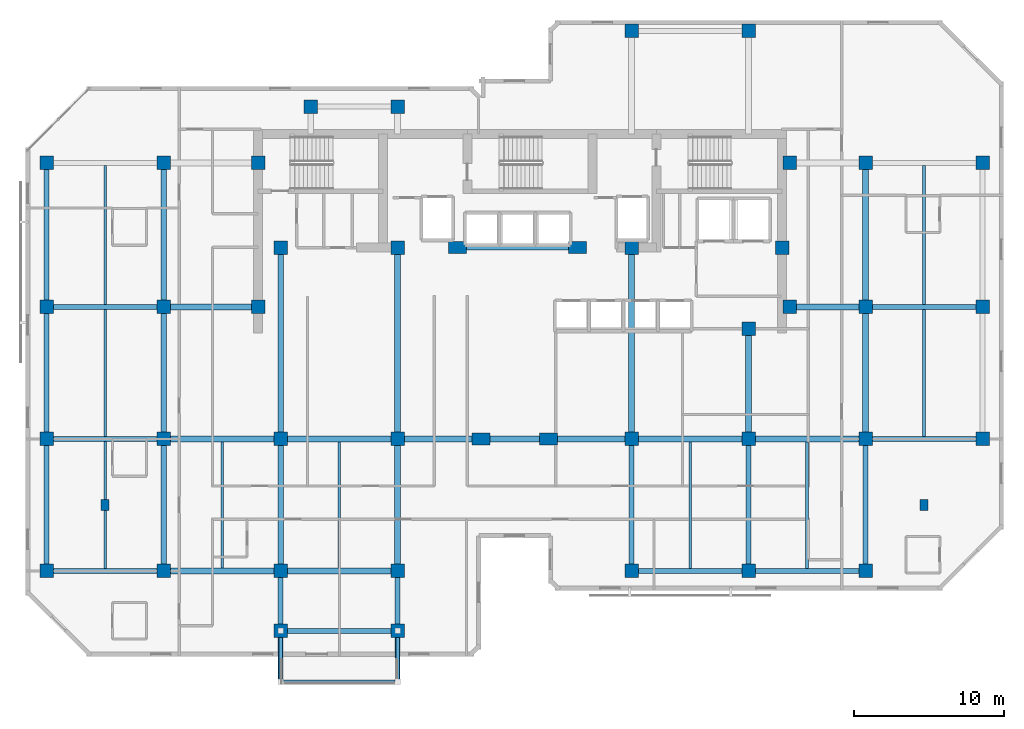
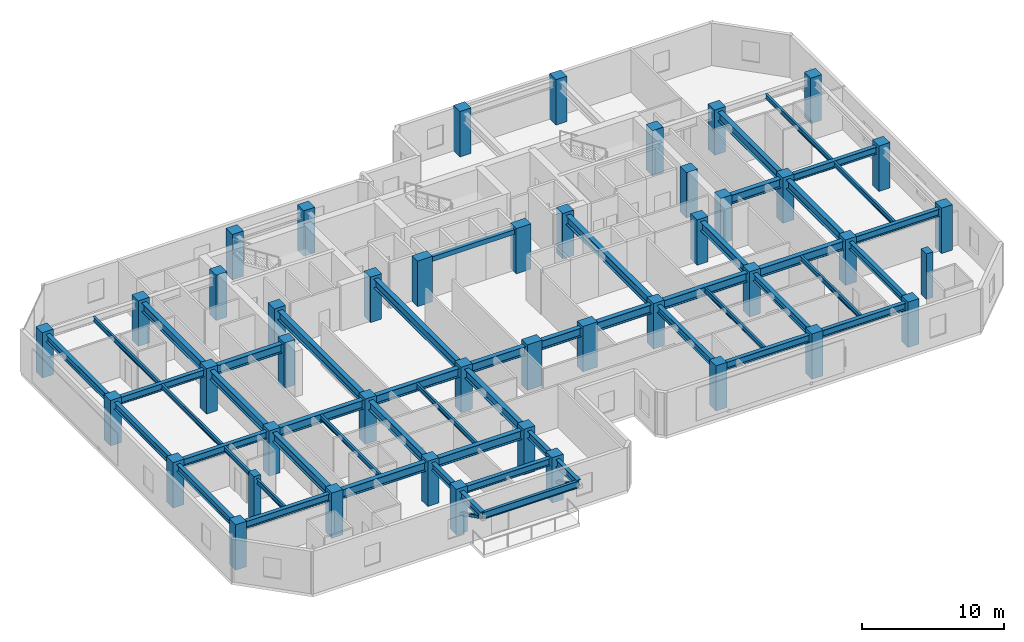
# One storey, part 1 of 11: 51 beams, 44 columns, 2 members.
"""IFC4 building model written with IfcOpenShell, lengths in metres."""

from ifc_helpers import new_model, si_unit, direction, frame, origin, origin_2d, place, context, subcontext, project, spatial, rectangle, hollow_rectangle, i_section, extrude, material, material_profile, profile_set, type_object, element, save


model = new_model("IFC4")

# Units and contexts
model_context = context("Model", 3, precision=1e-05, world=origin(), true_north=direction((0.0, 1.0)))
body_context = subcontext(model_context, "Body", "Model", "MODEL_VIEW")
ifc_project = project(units=[si_unit("LENGTHUNIT", "METRE"), si_unit("AREAUNIT", "SQUARE_METRE"), si_unit("VOLUMEUNIT", "CUBIC_METRE"), si_unit("PLANEANGLEUNIT", "RADIAN"), si_unit("MASSUNIT", "GRAM", prefix="KILO")], contexts=[model_context])

# Site, building, storey
site_placement = place(None, origin())
site = spatial("IfcSite", under=ifc_project, at=site_placement, CompositionType="ELEMENT")
building_placement = place(site_placement, origin())
building = spatial("IfcBuilding", under=site, at=building_placement, Name="Kestravale Grand Hotel", CompositionType="ELEMENT")
storey_placement = place(building_placement, frame((0.0, 0.0, 204.60009765625)))
storey = spatial("IfcBuildingStorey", under=building, at=storey_placement, Name="L51", CompositionType="ELEMENT", Elevation=204.60009765625)

# Columns
ifc_material_1 = material(Name="Concrete f'c 60 MPa", Category="concrete")
ifc_material_profile_1 = material_profile(ifc_material_1, rectangle(XDim=1.199951171875, YDim=0.800048828125, at=origin_2d()))
ifc_profile_set_1 = profile_set([ifc_material_profile_1], Name="Concrete f'c 60 MPa")
column_type_1 = type_object("IfcColumnType", Name="C-Z3-1200X800", PredefinedType="COLUMN", material=ifc_profile_set_1)
for number, where, z_axis, x_axis, name in (
    (1, (36.75, 20.0, 0.0), (0.0, 0.0, 1.0), (1.0, 0.0, 0.0), "L51 column 6-D"),
    (2, (41.25, 20.0, 0.0), (0.0, 0.0, 1.0), (1.0, 0.0, 0.0), "L51 column 7-D"),
    (3, (35.199951171875, 32.75, 0.0), (0.0, 0.0, 1.0), (1.0, 0.0, 0.0), "L51 column 6C-CS"),
    (4, (43.199951171875, 32.75, 0.0), (0.0, 0.0, 1.0), (1.0, 0.0, 0.0), "L51 column 7C-CS"),
):
    element("IfcColumn", number, at=place(storey_placement, frame(where, z_axis=z_axis, x_axis=x_axis)), inside=storey, type_object=column_type_1, Name=name, PredefinedType="COLUMN", context=body_context, shape_type="SweptSolid", body=[
        extrude(rectangle(XDim=1.199951171875, YDim=0.800048828125, at=origin_2d()), origin(), (0.0, 0.0, 1.0), 3.89990234375),
    ])
ifc_material_2 = material(Name="Precast concrete f'c 45 MPa", Category="concrete")
ifc_material_profile_2 = material_profile(ifc_material_2, rectangle(XDim=0.550048828125, YDim=0.75, at=origin_2d()))
ifc_profile_set_2 = profile_set([ifc_material_profile_2], Name="Precast concrete f'c 45 MPa")
column_type_2 = type_object("IfcColumnType", Name="C-Z3-PIL750", PredefinedType="PILASTER", material=ifc_profile_set_2)
for number, where, z_axis, x_axis, name in (
    (5, (11.699951171875, 15.60009765625, 0.0), (0.0, 0.0, 1.0), (1.0, 0.0, 0.0), "L51 Art Deco fluted pilaster P1"),
    (6, (66.300048828125, 15.60009765625, 0.0), (0.0, 0.0, 1.0), (1.0, 0.0, 0.0), "L51 Art Deco fluted pilaster P2"),
):
    element("IfcColumn", number, at=place(storey_placement, frame(where, z_axis=z_axis, x_axis=x_axis)), inside=storey, type_object=column_type_2, Name=name, PredefinedType="PILASTER", context=body_context, shape_type="SweptSolid", body=[
        extrude(rectangle(XDim=0.550048828125, YDim=0.75, at=origin_2d()), origin(), (0.0, 0.0, 1.0), 3.89990234375),
    ])
ifc_material_3 = material(Name="Concrete f'c 50 MPa", Category="concrete")
ifc_material_profile_3 = material_profile(ifc_material_3, rectangle(XDim=0.89990234375, YDim=0.89990234375, at=origin_2d()))
ifc_profile_set_3 = profile_set([ifc_material_profile_3], Name="Concrete f'c 50 MPa")
column_type_3 = type_object("IfcColumnType", Name="C-Z4-900", PredefinedType="COLUMN", material=ifc_profile_set_3)
for number, where, z_axis, x_axis, name in (
    (7, (7.800048828125, 11.199951171875, 0.0), (0.0, 0.0, 1.0), (1.0, 0.0, 0.0), "L51 column 2-C"),
    (8, (7.800048828125, 20.0, 0.0), (0.0, 0.0, 1.0), (1.0, 0.0, 0.0), "L51 column 2-D"),
    (9, (7.800048828125, 28.800048828125, 0.0), (0.0, 0.0, 1.0), (1.0, 0.0, 0.0), "L51 column 2-E"),
    (10, (7.800048828125, 38.39990234375, 0.0), (0.0, 0.0, 1.0), (1.0, 0.0, 0.0), "L51 column 2-F"),
    (11, (15.60009765625, 11.199951171875, 0.0), (0.0, 0.0, 1.0), (1.0, 0.0, 0.0), "L51 column 3-C"),
    (12, (15.60009765625, 20.0, 0.0), (0.0, 0.0, 1.0), (1.0, 0.0, 0.0), "L51 column 3-D"),
    (13, (15.60009765625, 28.800048828125, 0.0), (0.0, 0.0, 1.0), (1.0, 0.0, 0.0), "L51 column 3-E"),
    (14, (15.60009765625, 38.39990234375, 0.0), (0.0, 0.0, 1.0), (1.0, 0.0, 0.0), "L51 column 3-F"),
    (15, (23.39990234375, 11.199951171875, 0.0), (0.0, 0.0, 1.0), (1.0, 0.0, 0.0), "L51 column 4-C"),
    (16, (23.39990234375, 20.0, 0.0), (0.0, 0.0, 1.0), (1.0, 0.0, 0.0), "L51 column 4-D"),
    (17, (31.199951171875, 11.199951171875, 0.0), (0.0, 0.0, 1.0), (1.0, 0.0, 0.0), "L51 column 5-C"),
    (18, (31.199951171875, 20.0, 0.0), (0.0, 0.0, 1.0), (1.0, 0.0, 0.0), "L51 column 5-D"),
    (19, (46.800048828125, 11.199951171875, 0.0), (0.0, 0.0, 1.0), (1.0, 0.0, 0.0), "L51 column 8-C"),
    (20, (46.800048828125, 20.0, 0.0), (0.0, 0.0, 1.0), (1.0, 0.0, 0.0), "L51 column 8-D"),
    (21, (46.800048828125, 47.199951171875, 0.0), (0.0, 0.0, 1.0), (1.0, 0.0, 0.0), "L51 column 8-G"),
    (22, (54.60009765625, 11.199951171875, 0.0), (0.0, 0.0, 1.0), (1.0, 0.0, 0.0), "L51 column 9-C"),
    (23, (54.60009765625, 20.0, 0.0), (0.0, 0.0, 1.0), (1.0, 0.0, 0.0), "L51 column 9-D"),
    (24, (54.60009765625, 47.199951171875, 0.0), (0.0, 0.0, 1.0), (1.0, 0.0, 0.0), "L51 column 9-G"),
    (25, (62.39990234375, 11.199951171875, 0.0), (0.0, 0.0, 1.0), (1.0, 0.0, 0.0), "L51 column 10-C"),
    (26, (62.39990234375, 20.0, 0.0), (0.0, 0.0, 1.0), (1.0, 0.0, 0.0), "L51 column 10-D"),
    (27, (62.39990234375, 28.800048828125, 0.0), (0.0, 0.0, 1.0), (1.0, 0.0, 0.0), "L51 column 10-E"),
    (28, (62.39990234375, 38.39990234375, 0.0), (0.0, 0.0, 1.0), (1.0, 0.0, 0.0), "L51 column 10-F"),
    (29, (70.199951171875, 20.0, 0.0), (0.0, 0.0, 1.0), (1.0, 0.0, 0.0), "L51 column 11-D"),
    (30, (70.199951171875, 28.800048828125, 0.0), (0.0, 0.0, 1.0), (1.0, 0.0, 0.0), "L51 column 11-E"),
    (31, (70.199951171875, 38.39990234375, 0.0), (0.0, 0.0, 1.0), (1.0, 0.0, 0.0), "L51 column 11-F"),
    (32, (21.89990234375, 28.800048828125, 0.0), (0.0, 0.0, 1.0), (1.0, 0.0, 0.0), "L51 column CW-E"),
    (33, (21.89990234375, 38.39990234375, 0.0), (0.0, 0.0, 1.0), (1.0, 0.0, 0.0), "L51 column CW-F"),
    (34, (57.35009765625, 28.800048828125, 0.0), (0.0, 0.0, 1.0), (1.0, 0.0, 0.0), "L51 column CE-E"),
    (35, (57.35009765625, 38.39990234375, 0.0), (0.0, 0.0, 1.0), (1.0, 0.0, 0.0), "L51 column CE-F"),
    (36, (23.39990234375, 32.75, 0.0), (0.0, 0.0, 1.0), (1.0, 0.0, 0.0), "L51 column 4-CS"),
    (37, (31.199951171875, 32.75, 0.0), (0.0, 0.0, 1.0), (1.0, 0.0, 0.0), "L51 column 5-CS"),
    (38, (46.800048828125, 32.75, 0.0), (0.0, 0.0, 1.0), (1.0, 0.0, 0.0), "L51 column 8-CS"),
    (39, (54.60009765625, 27.35009765625, 0.0), (0.0, 0.0, 1.0), (1.0, 0.0, 0.0), "L51 column 9-CS"),
    (40, (56.85009765625, 32.75, 0.0), (0.0, 0.0, 1.0), (1.0, 0.0, 0.0), "L51 column 9C-CS"),
    (41, (23.39990234375, 7.199951171875, 0.0), (0.0, 0.0, 1.0), (1.0, 0.0, 0.0), "L51 column 4-BS"),
    (42, (31.199951171875, 7.199951171875, 0.0), (0.0, 0.0, 1.0), (1.0, 0.0, 0.0), "L51 column 5-BS"),
    (43, (25.39990234375, 42.14990234375, 0.0), (0.0, 0.0, 1.0), (1.0, 0.0, 0.0), "L51 column 4-FN"),
    (44, (31.199951171875, 42.14990234375, 0.0), (0.0, 0.0, 1.0), (1.0, 0.0, 0.0), "L51 column 5-FN"),
):
    element("IfcColumn", number, at=place(storey_placement, frame(where, z_axis=z_axis, x_axis=x_axis)), inside=storey, type_object=column_type_3, Name=name, PredefinedType="COLUMN", context=body_context, shape_type="SweptSolid", body=[
        extrude(rectangle(XDim=0.89990234375, YDim=0.89990234375, at=origin_2d()), origin(), (0.0, 0.0, 1.0), 3.89990234375),
    ])

# Beams
ifc_material_4 = material(Name="Steel ASTM A992 Grade 50", Category="steel")
ifc_material_profile_4 = material_profile(ifc_material_4, i_section(OverallWidth=0.177978515625, OverallDepth=0.404052734375, WebThickness=0.007568359375, FlangeThickness=0.010986328125, FilletRadius=0.01416015625, at=origin_2d()))
ifc_profile_set_4 = profile_set([ifc_material_profile_4], Name="Steel ASTM A992 Grade 50")
beam_type_1 = type_object("IfcBeamType", Name="B-FLR-JST16", PredefinedType="JOIST", material=ifc_profile_set_4)
for number, where, z_axis, x_axis, name in (
    (45, (11.699951171875, 11.362548828125, 3.447998046875), (0.0, 1.0, 0.0), (-1.0, 0.0, 0.0), "L51 floor joist 2-3/C-D #1"),
    (46, (11.699951171875, 20.16259765625, 3.447998046875), (0.0, 1.0, 0.0), (-1.0, 0.0, 0.0), "L51 floor joist 2-3/D-E #1"),
):
    element("IfcBeam", number, at=place(storey_placement, frame(where, z_axis=z_axis, x_axis=x_axis)), inside=storey, type_object=beam_type_1, Name=name, PredefinedType="JOIST", context=body_context, shape_type="SweptSolid", body=[
        extrude(i_section(OverallWidth=0.177978515625, OverallDepth=0.404052734375, WebThickness=0.007568359375, FlangeThickness=0.010986328125, FilletRadius=0.01416015625, at=origin_2d()), origin(), (0.0, 0.0, 1.0), 8.474853515625),
    ])
beam_1_placement = place(storey_placement, frame((11.699951171875, 28.96240234375, 3.447998046875), z_axis=(0.0, 1.0, 0.0), x_axis=(-1.0, 0.0, 0.0)))
element("IfcBeam", 47, at=beam_1_placement, inside=storey, type_object=beam_type_1, Name="L51 floor joist 2-3/E-F #1", PredefinedType="JOIST", context=body_context, shape_type="SweptSolid", body=[
    extrude(i_section(OverallWidth=0.177978515625, OverallDepth=0.404052734375, WebThickness=0.007568359375, FlangeThickness=0.010986328125, FilletRadius=0.01416015625, at=origin_2d()), origin(), (0.0, 0.0, 1.0), 9.275146484375),
])
for number, where, z_axis, x_axis, name in (
    (48, (19.5, 11.390380859375, 3.447998046875), (0.0, 1.0, 0.0), (-1.0, 0.0, 0.0), "L51 floor joist 3-4/C-D #1"),
    (49, (27.300048828125, 11.390380859375, 3.447998046875), (0.0, 1.0, 0.0), (-1.0, 0.0, 0.0), "L51 floor joist 4-5/C-D #1"),
):
    element("IfcBeam", number, at=place(storey_placement, frame(where, z_axis=z_axis, x_axis=x_axis)), inside=storey, type_object=beam_type_1, Name=name, PredefinedType="JOIST", context=body_context, shape_type="SweptSolid", body=[
        extrude(i_section(OverallWidth=0.177978515625, OverallDepth=0.404052734375, WebThickness=0.007568359375, FlangeThickness=0.010986328125, FilletRadius=0.01416015625, at=origin_2d()), origin(), (0.0, 0.0, 1.0), 8.419189453125),
    ])
for number, where, z_axis, x_axis, name in (
    (50, (50.699951171875, 11.362548828125, 3.447998046875), (0.0, 1.0, 0.0), (-1.0, 0.0, 0.0), "L51 floor joist 8-9/C-D #1"),
    (51, (58.5, 11.362548828125, 3.447998046875), (0.0, 1.0, 0.0), (-1.0, 0.0, 0.0), "L51 floor joist 9-10/C-D #1"),
):
    element("IfcBeam", number, at=place(storey_placement, frame(where, z_axis=z_axis, x_axis=x_axis)), inside=storey, type_object=beam_type_1, Name=name, PredefinedType="JOIST", context=body_context, shape_type="SweptSolid", body=[
        extrude(i_section(OverallWidth=0.177978515625, OverallDepth=0.404052734375, WebThickness=0.007568359375, FlangeThickness=0.010986328125, FilletRadius=0.01416015625, at=origin_2d()), origin(), (0.0, 0.0, 1.0), 8.447021484375),
    ])
beam_2_placement = place(storey_placement, frame((66.300048828125, 20.16259765625, 3.447998046875), z_axis=(0.0, 1.0, 0.0), x_axis=(-1.0, 0.0, 0.0)))
element("IfcBeam", 52, at=beam_2_placement, inside=storey, type_object=beam_type_1, Name="L51 floor joist 10-11/D-E #1", PredefinedType="JOIST", context=body_context, shape_type="SweptSolid", body=[
    extrude(i_section(OverallWidth=0.177978515625, OverallDepth=0.404052734375, WebThickness=0.007568359375, FlangeThickness=0.010986328125, FilletRadius=0.01416015625, at=origin_2d()), origin(), (0.0, 0.0, 1.0), 8.474853515625),
])
beam_3_placement = place(storey_placement, frame((66.300048828125, 28.96240234375, 3.447998046875), z_axis=(0.0, 1.0, 0.0), x_axis=(-1.0, 0.0, 0.0)))
element("IfcBeam", 53, at=beam_3_placement, inside=storey, type_object=beam_type_1, Name="L51 floor joist 10-11/E-F #1", PredefinedType="JOIST", context=body_context, shape_type="SweptSolid", body=[
    extrude(i_section(OverallWidth=0.177978515625, OverallDepth=0.404052734375, WebThickness=0.007568359375, FlangeThickness=0.010986328125, FilletRadius=0.01416015625, at=origin_2d()), origin(), (0.0, 0.0, 1.0), 9.275146484375),
])
ifc_material_5 = material(Name="Concrete f'c 45 MPa", Category="concrete")
ifc_material_profile_5 = material_profile(ifc_material_5, rectangle(XDim=0.300048828125, YDim=0.39990234375, at=origin_2d()))
ifc_profile_set_5 = profile_set([ifc_material_profile_5], Name="Concrete f'c 45 MPa")
beam_type_2 = type_object("IfcBeamType", Name="B-FLR-LNT400", PredefinedType="LINTEL", material=ifc_profile_set_5)
beam_4_placement = place(storey_placement, frame((35.199951171875, 32.75, 3.449951171875), z_axis=(1.0, 0.0, 0.0), x_axis=(0.0, 1.0, 0.0)))
element("IfcBeam", 54, at=beam_4_placement, inside=storey, type_object=beam_type_2, Name="L51 core portal header lintel", PredefinedType="LINTEL", context=body_context, shape_type="SweptSolid", body=[
    extrude(rectangle(XDim=0.300048828125, YDim=0.39990234375, at=origin_2d()), origin(), (0.0, 0.0, 1.0), 8.0),
])
ifc_material_6 = material(Name="Steel ASTM A992 Grade 50", Category="steel")
ifc_material_profile_6 = material_profile(ifc_material_6, i_section(OverallWidth=0.324951171875, OverallDepth=0.612060546875, WebThickness=0.0126953125, FlangeThickness=0.01904296875, FilletRadius=0.018798828125, at=origin_2d()))
ifc_profile_set_6 = profile_set([ifc_material_profile_6], Name="Steel ASTM A992 Grade 50")
beam_type_3 = type_object("IfcBeamType", Name="B-FLR-W24A", PredefinedType="SPANDREL", material=ifc_profile_set_6)
for number, where, z_axis, x_axis, name in (
    (55, (7.800048828125, 11.199951171875, 3.343994140625), (1.0, 0.0, 0.0), (0.0, 1.0, 0.0), "L51 spandrel C:2-3"),
    (56, (46.800048828125, 11.199951171875, 3.343994140625), (1.0, 0.0, 0.0), (0.0, 1.0, 0.0), "L51 spandrel C:8-9"),
):
    element("IfcBeam", number, at=place(storey_placement, frame(where, z_axis=z_axis, x_axis=x_axis)), inside=storey, type_object=beam_type_3, Name=name, PredefinedType="SPANDREL", context=body_context, shape_type="SweptSolid", body=[
        extrude(i_section(OverallWidth=0.324951171875, OverallDepth=0.612060546875, WebThickness=0.0126953125, FlangeThickness=0.01904296875, FilletRadius=0.018798828125, at=origin_2d()), origin(), (0.0, 0.0, 1.0), 7.800048828125),
    ])
beam_5_placement = place(storey_placement, frame((54.60009765625, 11.199951171875, 3.343994140625), z_axis=(1.0, 0.0, 0.0), x_axis=(0.0, 1.0, 0.0)))
element("IfcBeam", 57, at=beam_5_placement, inside=storey, type_object=beam_type_3, Name="L51 spandrel C:9-10", PredefinedType="SPANDREL", context=body_context, shape_type="SweptSolid", body=[
    extrude(i_section(OverallWidth=0.324951171875, OverallDepth=0.612060546875, WebThickness=0.0126953125, FlangeThickness=0.01904296875, FilletRadius=0.018798828125, at=origin_2d()), origin(), (0.0, 0.0, 1.0), 7.7998046875),
])
for number, where, z_axis, x_axis, name in (
    (58, (7.800048828125, 20.0, 3.343994140625), (1.0, 0.0, 0.0), (0.0, 1.0, 0.0), "L51 spandrel D:2-3"),
    (59, (62.39990234375, 20.0, 3.343994140625), (1.0, 0.0, 0.0), (0.0, 1.0, 0.0), "L51 spandrel D:10-11"),
    (60, (7.800048828125, 28.800048828125, 3.343994140625), (1.0, 0.0, 0.0), (0.0, 1.0, 0.0), "L51 spandrel E:2-3"),
    (61, (62.39990234375, 28.800048828125, 3.343994140625), (1.0, 0.0, 0.0), (0.0, 1.0, 0.0), "L51 spandrel E:10-11"),
    (62, (23.39990234375, 7.199951171875, 3.343994140625), (1.0, 0.0, 0.0), (0.0, 1.0, 0.0), "L51 perimeter tie spandrel BS:4-5"),
):
    element("IfcBeam", number, at=place(storey_placement, frame(where, z_axis=z_axis, x_axis=x_axis)), inside=storey, type_object=beam_type_3, Name=name, PredefinedType="SPANDREL", context=body_context, shape_type="SweptSolid", body=[
        extrude(i_section(OverallWidth=0.324951171875, OverallDepth=0.612060546875, WebThickness=0.0126953125, FlangeThickness=0.01904296875, FilletRadius=0.018798828125, at=origin_2d()), origin(), (0.0, 0.0, 1.0), 7.800048828125),
    ])
for number, where, z_axis, x_axis, name in (
    (63, (7.800048828125, 11.199951171875, 3.343994140625), (0.0, 1.0, 0.0), (-1.0, 0.0, 0.0), "L51 spandrel 2:C-D"),
    (64, (7.800048828125, 20.0, 3.343994140625), (0.0, 1.0, 0.0), (-1.0, 0.0, 0.0), "L51 spandrel 2:D-E"),
):
    element("IfcBeam", number, at=place(storey_placement, frame(where, z_axis=z_axis, x_axis=x_axis)), inside=storey, type_object=beam_type_3, Name=name, PredefinedType="SPANDREL", context=body_context, shape_type="SweptSolid", body=[
        extrude(i_section(OverallWidth=0.324951171875, OverallDepth=0.612060546875, WebThickness=0.0126953125, FlangeThickness=0.01904296875, FilletRadius=0.018798828125, at=origin_2d()), origin(), (0.0, 0.0, 1.0), 8.800048828125),
    ])
beam_6_placement = place(storey_placement, frame((7.800048828125, 28.800048828125, 3.343994140625), z_axis=(0.0, 1.0, 0.0), x_axis=(-1.0, 0.0, 0.0)))
element("IfcBeam", 65, at=beam_6_placement, inside=storey, type_object=beam_type_3, Name="L51 spandrel 2:E-F", PredefinedType="SPANDREL", context=body_context, shape_type="SweptSolid", body=[
    extrude(i_section(OverallWidth=0.324951171875, OverallDepth=0.612060546875, WebThickness=0.0126953125, FlangeThickness=0.01904296875, FilletRadius=0.018798828125, at=origin_2d()), origin(), (0.0, 0.0, 1.0), 9.599853515625),
])
for number, where, z_axis, x_axis, name in (
    (66, (23.39990234375, 7.199951171875, 3.343994140625), (0.0, 1.0, 0.0), (-1.0, 0.0, 0.0), "L51 spandrel 4:BS-C"),
    (67, (31.199951171875, 7.199951171875, 3.343994140625), (0.0, 1.0, 0.0), (-1.0, 0.0, 0.0), "L51 spandrel 5:BS-C"),
):
    element("IfcBeam", number, at=place(storey_placement, frame(where, z_axis=z_axis, x_axis=x_axis)), inside=storey, type_object=beam_type_3, Name=name, PredefinedType="SPANDREL", context=body_context, shape_type="SweptSolid", body=[
        extrude(i_section(OverallWidth=0.324951171875, OverallDepth=0.612060546875, WebThickness=0.0126953125, FlangeThickness=0.01904296875, FilletRadius=0.018798828125, at=origin_2d()), origin(), (0.0, 0.0, 1.0), 4.0),
    ])
for number, where, z_axis, x_axis, name in (
    (68, (46.800048828125, 11.199951171875, 3.343994140625), (0.0, 1.0, 0.0), (-1.0, 0.0, 0.0), "L51 spandrel 8:C-D"),
    (69, (54.60009765625, 11.199951171875, 3.343994140625), (0.0, 1.0, 0.0), (-1.0, 0.0, 0.0), "L51 spandrel 9:C-D"),
    (70, (62.39990234375, 11.199951171875, 3.343994140625), (0.0, 1.0, 0.0), (-1.0, 0.0, 0.0), "L51 spandrel 10:C-D"),
):
    element("IfcBeam", number, at=place(storey_placement, frame(where, z_axis=z_axis, x_axis=x_axis)), inside=storey, type_object=beam_type_3, Name=name, PredefinedType="SPANDREL", context=body_context, shape_type="SweptSolid", body=[
        extrude(i_section(OverallWidth=0.324951171875, OverallDepth=0.612060546875, WebThickness=0.0126953125, FlangeThickness=0.01904296875, FilletRadius=0.018798828125, at=origin_2d()), origin(), (0.0, 0.0, 1.0), 8.800048828125),
    ])
for number, where, z_axis, x_axis, name in (
    (71, (23.39990234375, 7.199951171875, 3.323974609375), (0.0, -1.0, 0.0), (1.0, 0.0, 0.0), "L52 terrace cantilever beam 1"),
    (72, (31.199951171875, 7.199951171875, 3.323974609375), (0.0, -1.0, 0.0), (1.0, 0.0, 0.0), "L52 terrace cantilever beam 2"),
):
    element("IfcBeam", number, at=place(storey_placement, frame(where, z_axis=z_axis, x_axis=x_axis)), inside=storey, type_object=beam_type_3, Name=name, PredefinedType="SPANDREL", context=body_context, shape_type="SweptSolid", body=[
        extrude(i_section(OverallWidth=0.324951171875, OverallDepth=0.612060546875, WebThickness=0.0126953125, FlangeThickness=0.01904296875, FilletRadius=0.018798828125, at=origin_2d()), origin(), (0.0, 0.0, 1.0), 3.39990234375),
    ])
ifc_material_7 = material(Name="Steel ASTM A992 Grade 50", Category="steel")
ifc_material_profile_7 = material_profile(ifc_material_7, i_section(OverallWidth=0.22900390625, OverallDepth=0.612060546875, WebThickness=0.011962890625, FlangeThickness=0.01953125, FilletRadius=0.019287109375, at=origin_2d()))
ifc_profile_set_7 = profile_set([ifc_material_profile_7], Name="Steel ASTM A992 Grade 50")
beam_type_4 = type_object("IfcBeamType", Name="B-FLR-W24B", PredefinedType="SPANDREL", material=ifc_profile_set_7)
beam_7_placement = place(storey_placement, frame((23.39990234375, 3.800048828125, 3.323974609375), z_axis=(1.0, 0.0, 0.0), x_axis=(0.0, 1.0, 0.0)))
element("IfcBeam", 73, at=beam_7_placement, inside=storey, type_object=beam_type_4, Name="L52 terrace edge spandrel", PredefinedType="SPANDREL", context=body_context, shape_type="SweptSolid", body=[
    extrude(i_section(OverallWidth=0.22900390625, OverallDepth=0.612060546875, WebThickness=0.011962890625, FlangeThickness=0.01953125, FilletRadius=0.019287109375, at=origin_2d()), origin(), (0.0, 0.0, 1.0), 7.800048828125),
])
ifc_material_8 = material(Name="Steel ASTM A992 Grade 50", Category="steel")
ifc_material_profile_8 = material_profile(ifc_material_8, i_section(OverallWidth=0.381103515625, OverallDepth=0.77197265625, WebThickness=0.0166015625, FlangeThickness=0.027099609375, FilletRadius=0.023681640625, at=origin_2d()))
ifc_profile_set_8 = profile_set([ifc_material_profile_8], Name="Steel ASTM A992 Grade 50")
beam_type_5 = type_object("IfcBeamType", Name="B-GRD-W30", PredefinedType="BEAM", material=ifc_profile_set_8)
beam_8_placement = place(storey_placement, frame((15.60009765625, 11.199951171875, 3.263916015625), z_axis=(1.0, 0.0, 0.0), x_axis=(0.0, 1.0, 0.0)))
element("IfcBeam", 74, at=beam_8_placement, inside=storey, type_object=beam_type_5, Name="L51 girder C:3-4", PredefinedType="BEAM", context=body_context, shape_type="SweptSolid", body=[
    extrude(i_section(OverallWidth=0.381103515625, OverallDepth=0.77197265625, WebThickness=0.0166015625, FlangeThickness=0.027099609375, FilletRadius=0.023681640625, at=origin_2d()), origin(), (0.0, 0.0, 1.0), 7.7998046875),
])
beam_9_placement = place(storey_placement, frame((23.39990234375, 11.199951171875, 3.263916015625), z_axis=(1.0, 0.0, 0.0), x_axis=(0.0, 1.0, 0.0)))
element("IfcBeam", 75, at=beam_9_placement, inside=storey, type_object=beam_type_5, Name="L51 girder C:4-5", PredefinedType="BEAM", context=body_context, shape_type="SweptSolid", body=[
    extrude(i_section(OverallWidth=0.381103515625, OverallDepth=0.77197265625, WebThickness=0.0166015625, FlangeThickness=0.027099609375, FilletRadius=0.023681640625, at=origin_2d()), origin(), (0.0, 0.0, 1.0), 7.800048828125),
])
beam_10_placement = place(storey_placement, frame((15.60009765625, 20.0, 3.263916015625), z_axis=(1.0, 0.0, 0.0), x_axis=(0.0, 1.0, 0.0)))
element("IfcBeam", 76, at=beam_10_placement, inside=storey, type_object=beam_type_5, Name="L51 girder D:3-4", PredefinedType="BEAM", context=body_context, shape_type="SweptSolid", body=[
    extrude(i_section(OverallWidth=0.381103515625, OverallDepth=0.77197265625, WebThickness=0.0166015625, FlangeThickness=0.027099609375, FilletRadius=0.023681640625, at=origin_2d()), origin(), (0.0, 0.0, 1.0), 7.7998046875),
])
beam_11_placement = place(storey_placement, frame((23.39990234375, 20.0, 3.263916015625), z_axis=(1.0, 0.0, 0.0), x_axis=(0.0, 1.0, 0.0)))
element("IfcBeam", 77, at=beam_11_placement, inside=storey, type_object=beam_type_5, Name="L51 girder D:4-5", PredefinedType="BEAM", context=body_context, shape_type="SweptSolid", body=[
    extrude(i_section(OverallWidth=0.381103515625, OverallDepth=0.77197265625, WebThickness=0.0166015625, FlangeThickness=0.027099609375, FilletRadius=0.023681640625, at=origin_2d()), origin(), (0.0, 0.0, 1.0), 7.800048828125),
])
beam_12_placement = place(storey_placement, frame((31.199951171875, 20.0, 3.263916015625), z_axis=(1.0, 0.0, 0.0), x_axis=(0.0, 1.0, 0.0)))
element("IfcBeam", 78, at=beam_12_placement, inside=storey, type_object=beam_type_5, Name="L51 girder D:5-6", PredefinedType="BEAM", context=body_context, shape_type="SweptSolid", body=[
    extrude(i_section(OverallWidth=0.381103515625, OverallDepth=0.77197265625, WebThickness=0.0166015625, FlangeThickness=0.027099609375, FilletRadius=0.023681640625, at=origin_2d()), origin(), (0.0, 0.0, 1.0), 5.550048828125),
])
beam_13_placement = place(storey_placement, frame((36.75, 20.0, 3.263916015625), z_axis=(1.0, 0.0, 0.0), x_axis=(0.0, 1.0, 0.0)))
element("IfcBeam", 79, at=beam_13_placement, inside=storey, type_object=beam_type_5, Name="L51 girder D:6-7", PredefinedType="BEAM", context=body_context, shape_type="SweptSolid", body=[
    extrude(i_section(OverallWidth=0.381103515625, OverallDepth=0.77197265625, WebThickness=0.0166015625, FlangeThickness=0.027099609375, FilletRadius=0.023681640625, at=origin_2d()), origin(), (0.0, 0.0, 1.0), 4.5),
])
beam_14_placement = place(storey_placement, frame((41.25, 20.0, 3.263916015625), z_axis=(1.0, 0.0, 0.0), x_axis=(0.0, 1.0, 0.0)))
element("IfcBeam", 80, at=beam_14_placement, inside=storey, type_object=beam_type_5, Name="L51 girder D:7-8", PredefinedType="BEAM", context=body_context, shape_type="SweptSolid", body=[
    extrude(i_section(OverallWidth=0.381103515625, OverallDepth=0.77197265625, WebThickness=0.0166015625, FlangeThickness=0.027099609375, FilletRadius=0.023681640625, at=origin_2d()), origin(), (0.0, 0.0, 1.0), 5.550048828125),
])
beam_15_placement = place(storey_placement, frame((46.800048828125, 20.0, 3.263916015625), z_axis=(1.0, 0.0, 0.0), x_axis=(0.0, 1.0, 0.0)))
element("IfcBeam", 81, at=beam_15_placement, inside=storey, type_object=beam_type_5, Name="L51 girder D:8-9", PredefinedType="BEAM", context=body_context, shape_type="SweptSolid", body=[
    extrude(i_section(OverallWidth=0.381103515625, OverallDepth=0.77197265625, WebThickness=0.0166015625, FlangeThickness=0.027099609375, FilletRadius=0.023681640625, at=origin_2d()), origin(), (0.0, 0.0, 1.0), 7.800048828125),
])
beam_16_placement = place(storey_placement, frame((54.60009765625, 20.0, 3.263916015625), z_axis=(1.0, 0.0, 0.0), x_axis=(0.0, 1.0, 0.0)))
element("IfcBeam", 82, at=beam_16_placement, inside=storey, type_object=beam_type_5, Name="L51 girder D:9-10", PredefinedType="BEAM", context=body_context, shape_type="SweptSolid", body=[
    extrude(i_section(OverallWidth=0.381103515625, OverallDepth=0.77197265625, WebThickness=0.0166015625, FlangeThickness=0.027099609375, FilletRadius=0.023681640625, at=origin_2d()), origin(), (0.0, 0.0, 1.0), 7.7998046875),
])
beam_17_placement = place(storey_placement, frame((15.60009765625, 28.800048828125, 3.263916015625), z_axis=(1.0, 0.0, 0.0), x_axis=(0.0, 1.0, 0.0)))
element("IfcBeam", 83, at=beam_17_placement, inside=storey, type_object=beam_type_5, Name="L51 girder E:3-CW", PredefinedType="BEAM", context=body_context, shape_type="SweptSolid", body=[
    extrude(i_section(OverallWidth=0.381103515625, OverallDepth=0.77197265625, WebThickness=0.0166015625, FlangeThickness=0.027099609375, FilletRadius=0.023681640625, at=origin_2d()), origin(), (0.0, 0.0, 1.0), 6.2998046875),
])
beam_18_placement = place(storey_placement, frame((57.35009765625, 28.800048828125, 3.263916015625), z_axis=(1.0, 0.0, 0.0), x_axis=(0.0, 1.0, 0.0)))
element("IfcBeam", 84, at=beam_18_placement, inside=storey, type_object=beam_type_5, Name="L51 girder E:CE-10", PredefinedType="BEAM", context=body_context, shape_type="SweptSolid", body=[
    extrude(i_section(OverallWidth=0.381103515625, OverallDepth=0.77197265625, WebThickness=0.0166015625, FlangeThickness=0.027099609375, FilletRadius=0.023681640625, at=origin_2d()), origin(), (0.0, 0.0, 1.0), 5.0498046875),
])
for number, where, z_axis, x_axis, name in (
    (85, (15.60009765625, 11.199951171875, 3.263916015625), (0.0, 1.0, 0.0), (-1.0, 0.0, 0.0), "L51 girder 3:C-D"),
    (86, (15.60009765625, 20.0, 3.263916015625), (0.0, 1.0, 0.0), (-1.0, 0.0, 0.0), "L51 girder 3:D-E"),
):
    element("IfcBeam", number, at=place(storey_placement, frame(where, z_axis=z_axis, x_axis=x_axis)), inside=storey, type_object=beam_type_5, Name=name, PredefinedType="BEAM", context=body_context, shape_type="SweptSolid", body=[
        extrude(i_section(OverallWidth=0.381103515625, OverallDepth=0.77197265625, WebThickness=0.0166015625, FlangeThickness=0.027099609375, FilletRadius=0.023681640625, at=origin_2d()), origin(), (0.0, 0.0, 1.0), 8.800048828125),
    ])
beam_19_placement = place(storey_placement, frame((15.60009765625, 28.800048828125, 3.263916015625), z_axis=(0.0, 1.0, 0.0), x_axis=(-1.0, 0.0, 0.0)))
element("IfcBeam", 87, at=beam_19_placement, inside=storey, type_object=beam_type_5, Name="L51 girder 3:E-F", PredefinedType="BEAM", context=body_context, shape_type="SweptSolid", body=[
    extrude(i_section(OverallWidth=0.381103515625, OverallDepth=0.77197265625, WebThickness=0.0166015625, FlangeThickness=0.027099609375, FilletRadius=0.023681640625, at=origin_2d()), origin(), (0.0, 0.0, 1.0), 9.599853515625),
])
beam_20_placement = place(storey_placement, frame((23.39990234375, 11.199951171875, 3.263916015625), z_axis=(0.0, 1.0, 0.0), x_axis=(-1.0, 0.0, 0.0)))
element("IfcBeam", 88, at=beam_20_placement, inside=storey, type_object=beam_type_5, Name="L51 girder 4:C-D", PredefinedType="BEAM", context=body_context, shape_type="SweptSolid", body=[
    extrude(i_section(OverallWidth=0.381103515625, OverallDepth=0.77197265625, WebThickness=0.0166015625, FlangeThickness=0.027099609375, FilletRadius=0.023681640625, at=origin_2d()), origin(), (0.0, 0.0, 1.0), 8.800048828125),
])
beam_21_placement = place(storey_placement, frame((23.39990234375, 20.0, 3.263916015625), z_axis=(0.0, 1.0, 0.0), x_axis=(-1.0, 0.0, 0.0)))
element("IfcBeam", 89, at=beam_21_placement, inside=storey, type_object=beam_type_5, Name="L51 girder 4:D-CS", PredefinedType="BEAM", context=body_context, shape_type="SweptSolid", body=[
    extrude(i_section(OverallWidth=0.381103515625, OverallDepth=0.77197265625, WebThickness=0.0166015625, FlangeThickness=0.027099609375, FilletRadius=0.023681640625, at=origin_2d()), origin(), (0.0, 0.0, 1.0), 12.75),
])
beam_22_placement = place(storey_placement, frame((31.199951171875, 11.199951171875, 3.263916015625), z_axis=(0.0, 1.0, 0.0), x_axis=(-1.0, 0.0, 0.0)))
element("IfcBeam", 90, at=beam_22_placement, inside=storey, type_object=beam_type_5, Name="L51 girder 5:C-D", PredefinedType="BEAM", context=body_context, shape_type="SweptSolid", body=[
    extrude(i_section(OverallWidth=0.381103515625, OverallDepth=0.77197265625, WebThickness=0.0166015625, FlangeThickness=0.027099609375, FilletRadius=0.023681640625, at=origin_2d()), origin(), (0.0, 0.0, 1.0), 8.800048828125),
])
for number, where, z_axis, x_axis, name in (
    (91, (31.199951171875, 20.0, 3.263916015625), (0.0, 1.0, 0.0), (-1.0, 0.0, 0.0), "L51 girder 5:D-CS"),
    (92, (46.800048828125, 20.0, 3.263916015625), (0.0, 1.0, 0.0), (-1.0, 0.0, 0.0), "L51 girder 8:D-CS"),
):
    element("IfcBeam", number, at=place(storey_placement, frame(where, z_axis=z_axis, x_axis=x_axis)), inside=storey, type_object=beam_type_5, Name=name, PredefinedType="BEAM", context=body_context, shape_type="SweptSolid", body=[
        extrude(i_section(OverallWidth=0.381103515625, OverallDepth=0.77197265625, WebThickness=0.0166015625, FlangeThickness=0.027099609375, FilletRadius=0.023681640625, at=origin_2d()), origin(), (0.0, 0.0, 1.0), 12.75),
    ])
beam_23_placement = place(storey_placement, frame((54.60009765625, 20.0, 3.263916015625), z_axis=(0.0, 1.0, 0.0), x_axis=(-1.0, 0.0, 0.0)))
element("IfcBeam", 93, at=beam_23_placement, inside=storey, type_object=beam_type_5, Name="L51 girder 9:D-CS", PredefinedType="BEAM", context=body_context, shape_type="SweptSolid", body=[
    extrude(i_section(OverallWidth=0.381103515625, OverallDepth=0.77197265625, WebThickness=0.0166015625, FlangeThickness=0.027099609375, FilletRadius=0.023681640625, at=origin_2d()), origin(), (0.0, 0.0, 1.0), 7.35009765625),
])
beam_24_placement = place(storey_placement, frame((62.39990234375, 20.0, 3.263916015625), z_axis=(0.0, 1.0, 0.0), x_axis=(-1.0, 0.0, 0.0)))
element("IfcBeam", 94, at=beam_24_placement, inside=storey, type_object=beam_type_5, Name="L51 girder 10:D-E", PredefinedType="BEAM", context=body_context, shape_type="SweptSolid", body=[
    extrude(i_section(OverallWidth=0.381103515625, OverallDepth=0.77197265625, WebThickness=0.0166015625, FlangeThickness=0.027099609375, FilletRadius=0.023681640625, at=origin_2d()), origin(), (0.0, 0.0, 1.0), 8.800048828125),
])
beam_25_placement = place(storey_placement, frame((62.39990234375, 28.800048828125, 3.263916015625), z_axis=(0.0, 1.0, 0.0), x_axis=(-1.0, 0.0, 0.0)))
element("IfcBeam", 95, at=beam_25_placement, inside=storey, type_object=beam_type_5, Name="L51 girder 10:E-F", PredefinedType="BEAM", context=body_context, shape_type="SweptSolid", body=[
    extrude(i_section(OverallWidth=0.381103515625, OverallDepth=0.77197265625, WebThickness=0.0166015625, FlangeThickness=0.027099609375, FilletRadius=0.023681640625, at=origin_2d()), origin(), (0.0, 0.0, 1.0), 9.599853515625),
])

# Members
ifc_material_9 = material(Name="Steel ASTM A500 Grade C", Category="steel")
ifc_material_profile_9 = material_profile(ifc_material_9, hollow_rectangle(XDim=0.25, YDim=0.25, WallThickness=0.011962890625, InnerFilletRadius=0.011962890625, OuterFilletRadius=0.02392578125, at=origin_2d()))
ifc_profile_set_9 = profile_set([ifc_material_profile_9], Name="Steel ASTM A500 Grade C")
member_type = type_object("IfcMemberType", Name="M-BLT-STR250", PredefinedType="STRUT", material=ifc_profile_set_9)
for number, where, z_axis, x_axis, name in (
    (96, (23.39990234375, 7.199951171875, 1.473876953125), (0.0, -0.894427191, 0.4472135955), (1.0, 0.0, 0.0), "L52 terrace knee-brace strut 1"),
    (97, (31.199951171875, 7.199951171875, 1.473876953125), (0.0, -0.894427191, 0.4472135955), (1.0, 0.0, 0.0), "L52 terrace knee-brace strut 2"),
):
    element("IfcMember", number, at=place(storey_placement, frame(where, z_axis=z_axis, x_axis=x_axis)), inside=storey, type_object=member_type, Name=name, PredefinedType="STRUT", context=body_context, shape_type="SweptSolid", body=[
        extrude(hollow_rectangle(XDim=0.25, YDim=0.25, WallThickness=0.011962890625, InnerFilletRadius=0.011962890625, OuterFilletRadius=0.02392578125, at=origin_2d()), origin(), (0.0, 0.0, 1.0), 3.80126953125),
    ])

save(model, "model.ifc")
